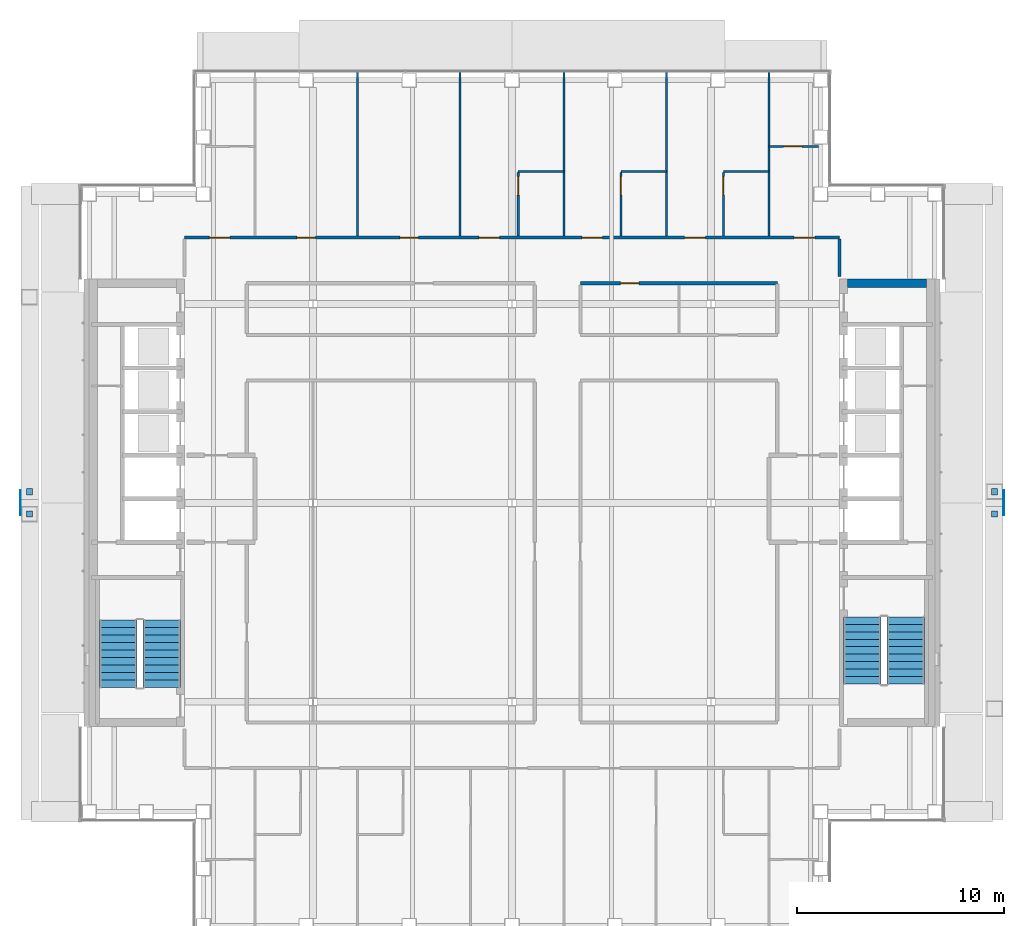
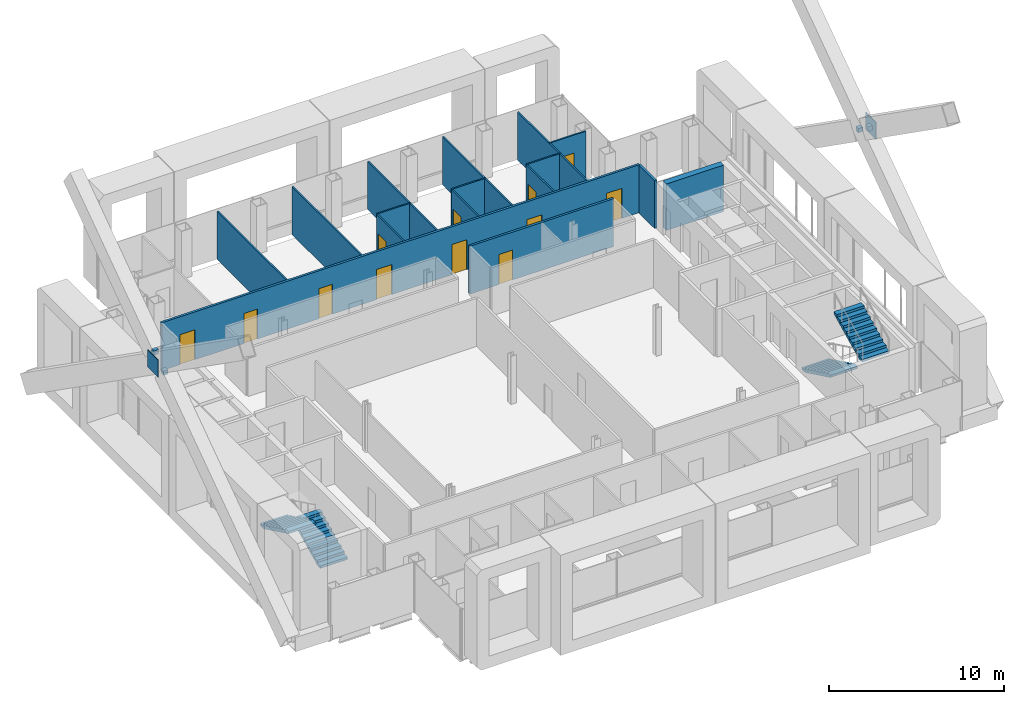
# One storey, part 14 of 21: 16 walls, 12 doors, 6 discrete accessories, 4 stair flights, 12 openings, 2 elements without a shape of their own.
"""IFC4 building model written with IfcOpenShell, lengths in metres."""

import ifcopenshell
import ifcopenshell.guid

model = None  # the IFC model being written
_history = None  # IfcOwnerHistory: only IFC2X3 demands one
_inside = {}  # id of a spatial element -> (the spatial element, [elements in it])
_under = {}  # id of a project, library or spatial element -> (it, [spatial elements below it])
_declared = {}  # id of a project -> (the project, [libraries it declares])
_typed = {}  # id of a type object -> (the type object, [elements of that type])
_made_of = {}  # id of a material, layer set ... -> (it, [elements and type objects made of it])


def new_model(schema):
    """Start an empty IFC model of exactly this schema.

    Asked for "IFC4X3", IfcOpenShell would pick the latest addendum, in which some entities
    have other attributes; the version numbers below select the first issue.
    IFC2X3 requires an IfcOwnerHistory on every rooted entity: one is made here for all.
    """
    global model, _history
    if schema == "IFC4X3":
        model = ifcopenshell.file(schema_version=(4, 3, 0, 0))
    else:
        model = ifcopenshell.file(schema=schema)
    _inside.clear()
    _under.clear()
    _declared.clear()
    _typed.clear()
    _made_of.clear()
    _history = None
    if model.schema == "IFC2X3":
        org = make("IfcOrganization", Name="unknown")
        user = make(
            "IfcPersonAndOrganization",
            ThePerson=make("IfcPerson", FamilyName="unknown"),
            TheOrganization=org,
        )
        app = make(
            "IfcApplication",
            ApplicationDeveloper=org,
            Version="unknown",
            ApplicationFullName="unknown",
            ApplicationIdentifier="unknown",
        )
        _history = make(
            "IfcOwnerHistory",
            OwningUser=user,
            OwningApplication=app,
            ChangeAction="ADDED",
            CreationDate=0,
        )
    return model


def make(cls, **values):
    """One entity of the class cls with the attributes given. An attribute that is None is left unset."""
    return model.create_entity(
        cls, **{name: value for name, value in values.items() if value is not None}
    )


def rooted(cls, **values):
    """An entity with a GlobalId (a new one), such as an element, a storey or a relation."""
    return make(cls, GlobalId=ifcopenshell.guid.new(), OwnerHistory=_history, **values)


def si_unit(unit_type, name, prefix=None):
    """IfcSIUnit, for example si_unit("LENGTHUNIT", "METRE", prefix="MILLI")."""
    return make("IfcSIUnit", UnitType=unit_type, Prefix=prefix, Name=name)


def assignment(units):
    """IfcUnitAssignment: the units of a project."""
    return None if units is None else make("IfcUnitAssignment", Units=units)


def point(xyz):
    """IfcCartesianPoint."""
    return None if xyz is None else make("IfcCartesianPoint", Coordinates=xyz)


def direction(xyz):
    """IfcDirection."""
    return None if xyz is None else make("IfcDirection", DirectionRatios=xyz)


def frame(location, z_axis=None, x_axis=None):
    """IfcAxis2Placement3D, a coordinate frame: its origin and axes. An axis left out is left unset."""
    return make(
        "IfcAxis2Placement3D",
        Location=point(location),
        Axis=direction(z_axis),
        RefDirection=direction(x_axis),
    )


def frame_2d(location, x_axis=None):
    """IfcAxis2Placement2D, a coordinate frame in the plane: its origin and x axis."""
    return make(
        "IfcAxis2Placement2D", Location=point(location), RefDirection=direction(x_axis)
    )


def origin():
    """The frame at (0, 0, 0) with its axes left unset."""
    return frame((0.0, 0.0, 0.0))


def origin_2d():
    """The frame at (0, 0) in the plane with its x axis left unset."""
    return frame_2d((0.0, 0.0))


def place(relative_to, where):
    """IfcLocalPlacement: puts the frame where relative to a parent placement (None: the world)."""
    return make(
        "IfcLocalPlacement", PlacementRelTo=relative_to, RelativePlacement=where
    )


def context(
    kind, dimensions, precision=None, world=None, true_north=None, identifier=None
):
    """IfcGeometricRepresentationContext, for example the 3D "Model" context."""
    return make(
        "IfcGeometricRepresentationContext",
        ContextIdentifier=identifier,
        ContextType=kind,
        CoordinateSpaceDimension=dimensions,
        Precision=precision,
        WorldCoordinateSystem=world,
        TrueNorth=true_north,
    )


def subcontext(parent, identifier, kind, view, scale=None):
    """IfcGeometricRepresentationSubContext, for example "Body" below "Model"."""
    return make(
        "IfcGeometricRepresentationSubContext",
        ContextIdentifier=identifier,
        ContextType=kind,
        ParentContext=parent,
        TargetScale=scale,
        TargetView=view,
    )


def project(units=None, contexts=None):
    """IfcProject with its units and contexts."""
    return rooted(
        "IfcProject",
        Name="project",
        RepresentationContexts=contexts,
        UnitsInContext=assignment(units),
    )


def spatial(cls, under=None, at=None, **own):
    """A site, building, storey or space (cls), placed at a placement, below another one or the project."""
    s = rooted(cls, ObjectPlacement=at, **own)
    if under is not None:
        _under.setdefault(under.id(), (under, []))[1].append(s)
    return s


def polyline(points):
    """IfcPolyline through the points."""
    return make("IfcPolyline", Points=[point(p) for p in points])


def profile(cls, at=None, kind="AREA", **sizes):
    """A parametric profile (cls). Its sizes go by their IFC names, for example OverallWidth=200.0."""
    return make(cls, ProfileType=kind, Position=at, **sizes)


def rectangle(**sizes):
    """IfcRectangleProfileDef."""
    return profile("IfcRectangleProfileDef", **sizes)


def outline(outer, holes=None, kind="AREA"):
    """IfcArbitraryClosedProfileDef: a profile drawn as a closed curve; with holes, ...WithVoids."""
    if holes is None:
        return make("IfcArbitraryClosedProfileDef", ProfileType=kind, OuterCurve=outer)
    return make(
        "IfcArbitraryProfileDefWithVoids",
        ProfileType=kind,
        OuterCurve=outer,
        InnerCurves=holes,
    )


def extrude(swept, where, along, depth):
    """IfcExtrudedAreaSolid: the profile swept, set in the frame where, extruded along a direction by depth."""
    return make(
        "IfcExtrudedAreaSolid",
        SweptArea=swept,
        Position=where,
        ExtrudedDirection=direction(along),
        Depth=depth,
    )


def shape(context_of_items, identifier, shape_type, items):
    """IfcShapeRepresentation: the items that make up one representation, for example the "Body"."""
    return make(
        "IfcShapeRepresentation",
        ContextOfItems=context_of_items,
        RepresentationIdentifier=identifier,
        RepresentationType=shape_type,
        Items=items,
    )


def material(Name=None, Category=None):
    """IfcMaterial."""
    return make("IfcMaterial", Name=Name, Category=Category)


def layer(
    of_material, thickness, ventilated=None, Name=None, Category=None, Priority=None
):
    """IfcMaterialLayer: one layer of a wall or slab, of a material (None: an air gap)."""
    return make(
        "IfcMaterialLayer",
        Material=of_material,
        LayerThickness=thickness,
        IsVentilated=ventilated,
        Name=Name,
        Category=Category,
        Priority=Priority,
    )


def layer_set(layers, Name=None):
    """IfcMaterialLayerSet."""
    return make("IfcMaterialLayerSet", MaterialLayers=layers, LayerSetName=Name)


def made_of(thing, what):
    """Note that an element or type object is made of a material, layer set ...; save() writes the relation."""
    if what is not None:
        _made_of.setdefault(what.id(), (what, []))[1].append(thing)
    return thing


def type_object(cls, material=None, **own):
    """A type object (cls), such as IfcWallType, which elements share."""
    return made_of(rooted(cls, **own), material)


def element(
    cls,
    number,
    at=None,
    inside=None,
    cuts=None,
    type_object=None,
    material=None,
    context=None,
    identifier="Body",
    shape_type=None,
    held_by="IfcProductDefinitionShape",
    body=None,
    shapes=None,
    **own,
):
    """One element of the class cls, such as IfcWall. Its Tag is "e" and its number.

    at: its placement. inside: the storey or other place that contains it. cuts: it is an
    opening in that element (IfcRelVoidsElement). A single representation is given by context,
    identifier, shape_type and body (its items); several are given by shapes. held_by: the class
    of the entity that holds the representations. save() writes the other relations.
    """
    e = rooted(cls, Tag="e%d" % number, ObjectPlacement=at, **own)
    if body is not None:
        shapes = [shape(context, identifier, shape_type, body)]
    if shapes is not None:
        e.Representation = make(held_by, Representations=shapes)
    if inside is not None:
        _inside.setdefault(inside.id(), (inside, []))[1].append(e)
    if cuts is not None:
        rooted(
            "IfcRelVoidsElement", RelatingBuildingElement=cuts, RelatedOpeningElement=e
        )
    if type_object is not None:
        _typed.setdefault(type_object.id(), (type_object, []))[1].append(e)
    return made_of(e, material)


def fill(opening, filler):
    """IfcRelFillsElement: the door or window that sits in an opening."""
    return rooted(
        "IfcRelFillsElement",
        RelatingOpeningElement=opening,
        RelatedBuildingElement=filler,
    )


def aggregate(whole, parts):
    """IfcRelAggregates: a whole, such as a stair, and the parts it consists of."""
    return rooted("IfcRelAggregates", RelatingObject=whole, RelatedObjects=parts)


def save(model, path):
    """Write the relations noted so far, then the file.

    IfcRelAggregates (storeys below a building ...), IfcRelContainedInSpatialStructure (elements
    in a storey), IfcRelDefinesByType, IfcRelAssociatesMaterial and IfcRelDeclares: one each for
    every whole, place, type object, material and project.
    """
    for whole, parts in _under.values():
        aggregate(whole, parts)
    for where, things in _inside.values():
        rooted(
            "IfcRelContainedInSpatialStructure",
            RelatedElements=things,
            RelatingStructure=where,
        )
    for kind, things in _typed.values():
        rooted("IfcRelDefinesByType", RelatedObjects=things, RelatingType=kind)
    for what, things in _made_of.values():
        rooted("IfcRelAssociatesMaterial", RelatedObjects=things, RelatingMaterial=what)
    for by, libraries in _declared.values():
        rooted("IfcRelDeclares", RelatingContext=by, RelatedDefinitions=libraries)
    model.write(path)


model = new_model("IFC4")

# Units and contexts
model_context = context("Model", 3, precision=1e-05, world=origin(), true_north=direction((0.0, 1.0)))
body_context = subcontext(model_context, "Body", "Model", "MODEL_VIEW")
ifc_project = project(units=[si_unit("LENGTHUNIT", "METRE"), si_unit("AREAUNIT", "SQUARE_METRE"), si_unit("VOLUMEUNIT", "CUBIC_METRE"), si_unit("PLANEANGLEUNIT", "RADIAN"), si_unit("MASSUNIT", "GRAM", prefix="KILO")], contexts=[model_context])

# Site, building, storey
site_placement = place(None, origin())
site = spatial("IfcSite", under=ifc_project, at=site_placement, CompositionType="ELEMENT")
building_placement = place(site_placement, origin())
building = spatial("IfcBuilding", under=site, at=building_placement, Name="Cobrizo Arcos Hotel Tower", CompositionType="ELEMENT")
storey_placement = place(building_placement, frame((0.0, 0.0, 212.0)))
storey = spatial("IfcBuildingStorey", under=building, at=storey_placement, Name="L55", CompositionType="ELEMENT", Elevation=212.0)

# Wall, opening, door
ifc_material_1 = material(Name="Gypsum board partition")
ifc_layer_1 = layer(ifc_material_1, 0.14990234375)
ifc_layer_set_1 = layer_set([ifc_layer_1], Name="Corridor wall EI 60 150")
wall_type_1 = type_object("IfcWallType", Name="Corridor wall EI 60 150", PredefinedType="PARTITIONING", material=ifc_layer_set_1)
wall_1_placement = place(storey_placement, frame((3.300048828125, 10.60009765625, 0.0), z_axis=(0.0, 0.0, 1.0), x_axis=(1.0, 0.0, 0.0)))
wall_1 = element("IfcWall", 1, at=wall_1_placement, inside=storey, type_object=wall_type_1, Name="Partition 034", PredefinedType="PARTITIONING", context=body_context, shape_type="SweptSolid", body=[
    extrude(rectangle(XDim=9.5, YDim=0.14990234375, at=frame_2d((4.75, 0.0))), origin(), (0.0, 0.0, 1.0), 3.35009765625),
])
opening_1_placement = place(wall_1_placement, frame((1.925048828125, 0.0, 0.0)))
opening_1 = element("IfcOpeningElement", 2, at=opening_1_placement, cuts=wall_1, Name="Opening ED-12", PredefinedType="OPENING", context=body_context, shape_type="SweptSolid", body=[
    extrude(rectangle(XDim=0.89990234375, YDim=2.10009765625, at=frame_2d((0.449951171875, 1.050048828125))), frame((0.0, 0.0869140625, 0.0), z_axis=(0.0, -1.0, 0.0), x_axis=(1.0, 0.0, 0.0)), (0.0, 0.0, 1.0), 0.173828125),
])
ifc_material_2 = material(Name="Timber door leaf", Category="wood")
door_type_1 = type_object("IfcDoorType", Name="En-suite door 900x2100", OperationType="SINGLE_SWING_LEFT", PredefinedType="DOOR", material=ifc_material_2)
door_1_placement = place(opening_1_placement, origin())
door_1 = element("IfcDoor", 3, at=door_1_placement, inside=storey, type_object=door_type_1, Name="Door ED-12", OperationType="SINGLE_SWING_RIGHT", OverallHeight=2.10009765625, OverallWidth=0.89990234375, PredefinedType="DOOR", context=body_context, shape_type="SweptSolid", body=[
    extrude(rectangle(XDim=0.89990234375, YDim=2.10009765625, at=frame_2d((0.449951171875, 1.050048828125))), frame((0.0, 0.02490234375, 0.0), z_axis=(0.0, -1.0, 0.0), x_axis=(1.0, 0.0, 0.0)), (0.0, 0.0, 1.0), 0.050048828125),
])
fill(opening_1, door_1)

# Wall, openings, doors
wall_2_placement = place(storey_placement, frame((-15.800048828125, 12.800048828125, 0.0), z_axis=(0.0, 0.0, 1.0), x_axis=(1.0, 0.0, 0.0)))
wall_2 = element("IfcWall", 4, at=wall_2_placement, inside=storey, type_object=wall_type_1, Name="Partition 035", PredefinedType="PARTITIONING", context=body_context, shape_type="SweptSolid", body=[
    extrude(rectangle(XDim=31.60009765625, YDim=0.14990234375, at=frame_2d((15.800048828125, 0.0))), origin(), (0.0, 0.0, 1.0), 3.35009765625),
])
opening_2_placement = place(wall_2_placement, frame((5.4169921875, 0.0, 0.0)))
opening_2 = element("IfcOpeningElement", 5, at=opening_2_placement, cuts=wall_2, Name="Opening RD-06", PredefinedType="OPENING", context=body_context, shape_type="SweptSolid", body=[
    extrude(rectangle(XDim=0.89990234375, YDim=2.10009765625, at=frame_2d((0.449951171875, 1.050048828125))), frame((0.0, 0.0869140625, 0.0), z_axis=(0.0, -1.0, 0.0), x_axis=(1.0, 0.0, 0.0)), (0.0, 0.0, 1.0), 0.173828125),
])
opening_3_placement = place(wall_2_placement, frame((10.384033203125, 0.0, 0.0)))
opening_3 = element("IfcOpeningElement", 6, at=opening_3_placement, cuts=wall_2, Name="Opening RD-07", PredefinedType="OPENING", context=body_context, shape_type="SweptSolid", body=[
    extrude(rectangle(XDim=0.89990234375, YDim=2.10009765625, at=frame_2d((0.449951171875, 1.050048828125))), frame((0.0, 0.0869140625, 0.0), z_axis=(0.0, -1.0, 0.0), x_axis=(1.0, 0.0, 0.0)), (0.0, 0.0, 1.0), 0.173828125),
])
opening_4_placement = place(wall_2_placement, frame((14.199951171875, 0.0, 0.0)))
opening_4 = element("IfcOpeningElement", 7, at=opening_4_placement, cuts=wall_2, Name="Opening GD-01", PredefinedType="OPENING", context=body_context, shape_type="SweptSolid", body=[
    extrude(rectangle(XDim=1.0, YDim=2.10009765625, at=frame_2d((0.5, 1.050048828125))), frame((0.0, 0.0869140625, 0.0), z_axis=(0.0, -1.0, 0.0), x_axis=(1.0, 0.0, 0.0)), (0.0, 0.0, 1.0), 0.173828125),
])
opening_5_placement = place(wall_2_placement, frame((19.166015625, 0.0, 0.0)))
opening_5 = element("IfcOpeningElement", 8, at=opening_5_placement, cuts=wall_2, Name="Opening GD-02", PredefinedType="OPENING", context=body_context, shape_type="SweptSolid", body=[
    extrude(rectangle(XDim=1.0, YDim=2.10009765625, at=frame_2d((0.5, 1.050048828125))), frame((0.0, 0.0869140625, 0.0), z_axis=(0.0, -1.0, 0.0), x_axis=(1.0, 0.0, 0.0)), (0.0, 0.0, 1.0), 0.173828125),
])
opening_6_placement = place(wall_2_placement, frame((24.134033203125, 0.0, 0.0)))
opening_6 = element("IfcOpeningElement", 9, at=opening_6_placement, cuts=wall_2, Name="Opening GD-03", PredefinedType="OPENING", context=body_context, shape_type="SweptSolid", body=[
    extrude(rectangle(XDim=1.0, YDim=2.10009765625, at=frame_2d((0.5, 1.050048828125))), frame((0.0, 0.0869140625, 0.0), z_axis=(0.0, -1.0, 0.0), x_axis=(1.0, 0.0, 0.0)), (0.0, 0.0, 1.0), 0.173828125),
])
opening_7_placement = place(wall_2_placement, frame((1.19189453125, 0.0, 0.0)))
opening_7 = element("IfcOpeningElement", 10, at=opening_7_placement, cuts=wall_2, Name="Opening GD-08", PredefinedType="OPENING", context=body_context, shape_type="SweptSolid", body=[
    extrude(rectangle(XDim=1.0, YDim=2.10009765625, at=frame_2d((0.5, 1.050048828125))), frame((0.0, 0.0869140625, 0.0), z_axis=(0.0, -1.0, 0.0), x_axis=(1.0, 0.0, 0.0)), (0.0, 0.0, 1.0), 0.173828125),
])
opening_8_placement = place(wall_2_placement, frame((29.408935546875, 0.0, 0.0)))
opening_8 = element("IfcOpeningElement", 11, at=opening_8_placement, cuts=wall_2, Name="Opening GD-10", PredefinedType="OPENING", context=body_context, shape_type="SweptSolid", body=[
    extrude(rectangle(XDim=1.0, YDim=2.10009765625, at=frame_2d((0.5, 1.050048828125))), frame((0.0, 0.0869140625, 0.0), z_axis=(0.0, -1.0, 0.0), x_axis=(1.0, 0.0, 0.0)), (0.0, 0.0, 1.0), 0.173828125),
])
door_type_2 = type_object("IfcDoorType", Name="Guest room door FD30S 1000x2100", OperationType="SINGLE_SWING_LEFT", PredefinedType="DOOR", material=ifc_material_2)
door_2_placement = place(opening_4_placement, origin())
door_2 = element("IfcDoor", 12, at=door_2_placement, inside=storey, type_object=door_type_2, Name="Door GD-01", OperationType="SINGLE_SWING_RIGHT", OverallHeight=2.10009765625, OverallWidth=1.0, PredefinedType="DOOR", context=body_context, shape_type="SweptSolid", body=[
    extrude(rectangle(XDim=1.0, YDim=2.10009765625, at=frame_2d((0.5, 1.050048828125))), frame((0.0, 0.02490234375, 0.0), z_axis=(0.0, -1.0, 0.0), x_axis=(1.0, 0.0, 0.0)), (0.0, 0.0, 1.0), 0.050048828125),
])
fill(opening_4, door_2)
door_3_placement = place(opening_5_placement, origin())
door_3 = element("IfcDoor", 13, at=door_3_placement, inside=storey, type_object=door_type_2, Name="Door GD-02", OperationType="SINGLE_SWING_RIGHT", OverallHeight=2.10009765625, OverallWidth=1.0, PredefinedType="DOOR", context=body_context, shape_type="SweptSolid", body=[
    extrude(rectangle(XDim=1.0, YDim=2.10009765625, at=frame_2d((0.5, 1.050048828125))), frame((0.0, 0.02490234375, 0.0), z_axis=(0.0, -1.0, 0.0), x_axis=(1.0, 0.0, 0.0)), (0.0, 0.0, 1.0), 0.050048828125),
])
fill(opening_5, door_3)
door_4_placement = place(opening_6_placement, origin())
door_4 = element("IfcDoor", 14, at=door_4_placement, inside=storey, type_object=door_type_2, Name="Door GD-03", OperationType="SINGLE_SWING_LEFT", OverallHeight=2.10009765625, OverallWidth=1.0, PredefinedType="DOOR", context=body_context, shape_type="SweptSolid", body=[
    extrude(rectangle(XDim=1.0, YDim=2.10009765625, at=frame_2d((0.5, 1.050048828125))), frame((0.0, 0.02490234375, 0.0), z_axis=(0.0, -1.0, 0.0), x_axis=(1.0, 0.0, 0.0)), (0.0, 0.0, 1.0), 0.050048828125),
])
fill(opening_6, door_4)
door_5_placement = place(opening_7_placement, origin())
door_5 = element("IfcDoor", 15, at=door_5_placement, inside=storey, type_object=door_type_2, Name="Door GD-08", OperationType="SINGLE_SWING_LEFT", OverallHeight=2.10009765625, OverallWidth=1.0, PredefinedType="DOOR", context=body_context, shape_type="SweptSolid", body=[
    extrude(rectangle(XDim=1.0, YDim=2.10009765625, at=frame_2d((0.5, 1.050048828125))), frame((0.0, 0.02490234375, 0.0), z_axis=(0.0, -1.0, 0.0), x_axis=(1.0, 0.0, 0.0)), (0.0, 0.0, 1.0), 0.050048828125),
])
fill(opening_7, door_5)
door_6_placement = place(opening_8_placement, origin())
door_6 = element("IfcDoor", 16, at=door_6_placement, inside=storey, type_object=door_type_2, Name="Door GD-10", OperationType="SINGLE_SWING_LEFT", OverallHeight=2.10009765625, OverallWidth=1.0, PredefinedType="DOOR", context=body_context, shape_type="SweptSolid", body=[
    extrude(rectangle(XDim=1.0, YDim=2.10009765625, at=frame_2d((0.5, 1.050048828125))), frame((0.0, 0.02490234375, 0.0), z_axis=(0.0, -1.0, 0.0), x_axis=(1.0, 0.0, 0.0)), (0.0, 0.0, 1.0), 0.050048828125),
])
fill(opening_8, door_6)
door_type_3 = type_object("IfcDoorType", Name="Room door FD30 900x2100", OperationType="SINGLE_SWING_LEFT", PredefinedType="DOOR", material=ifc_material_2)
door_7_placement = place(opening_2_placement, origin())
door_7 = element("IfcDoor", 17, at=door_7_placement, inside=storey, type_object=door_type_3, Name="Door RD-06", OperationType="SINGLE_SWING_RIGHT", OverallHeight=2.10009765625, OverallWidth=0.89990234375, PredefinedType="DOOR", context=body_context, shape_type="SweptSolid", body=[
    extrude(rectangle(XDim=0.89990234375, YDim=2.10009765625, at=frame_2d((0.449951171875, 1.050048828125))), frame((0.0, 0.02490234375, 0.0), z_axis=(0.0, -1.0, 0.0), x_axis=(1.0, 0.0, 0.0)), (0.0, 0.0, 1.0), 0.050048828125),
])
fill(opening_2, door_7)
door_8_placement = place(opening_3_placement, origin())
door_8 = element("IfcDoor", 18, at=door_8_placement, inside=storey, type_object=door_type_3, Name="Door RD-07", OperationType="SINGLE_SWING_LEFT", OverallHeight=2.10009765625, OverallWidth=0.89990234375, PredefinedType="DOOR", context=body_context, shape_type="SweptSolid", body=[
    extrude(rectangle(XDim=0.89990234375, YDim=2.10009765625, at=frame_2d((0.449951171875, 1.050048828125))), frame((0.0, 0.02490234375, 0.0), z_axis=(0.0, -1.0, 0.0), x_axis=(1.0, 0.0, 0.0)), (0.0, 0.0, 1.0), 0.050048828125),
])
fill(opening_3, door_8)

# Walls
wall_3_placement = place(storey_placement, frame((15.800048828125, 10.919921875, 0.0), z_axis=(0.0, 0.0, 1.0), x_axis=(0.0, 1.0, 0.0)))
element("IfcWall", 19, at=wall_3_placement, inside=storey, type_object=wall_type_1, Name="Partition 082", PredefinedType="PARTITIONING", context=body_context, shape_type="SweptSolid", body=[
    extrude(rectangle(XDim=1.80517578125, YDim=0.14990234375, at=frame_2d((0.902587890625, 0.0))), origin(), (0.0, 0.0, 1.0), 3.35009765625),
])
ifc_layer_2 = layer(ifc_material_1, 0.10009765625)
ifc_layer_set_2 = layer_set([ifc_layer_2], Name="Partition EI 30 100")
wall_type_2 = type_object("IfcWallType", Name="Partition EI 30 100", PredefinedType="PARTITIONING", material=ifc_layer_set_2)
for number, where, z_axis, x_axis, name in (
    (20, (0.300048828125, 16.0, 0.0), (0.0, 0.0, 1.0), (1.0, 0.0, 0.0), "Partition 036"),
    (21, (5.25, 16.0, 0.0), (0.0, 0.0, 1.0), (1.0, 0.0, 0.0), "Partition 037"),
    (22, (10.199951171875, 16.0, 0.0), (0.0, 0.0, 1.0), (1.0, 0.0, 0.0), "Partition 038"),
):
    element("IfcWall", number, at=place(storey_placement, frame(where, z_axis=z_axis, x_axis=x_axis)), inside=storey, type_object=wall_type_2, Name=name, PredefinedType="PARTITIONING", context=body_context, shape_type="SweptSolid", body=[
        extrude(rectangle(XDim=2.199951171875, YDim=0.10009765625, at=frame_2d((1.10009765625, 0.0))), origin(), (0.0, 0.0, 1.0), 3.35009765625),
    ])

# Wall, opening, door
wall_4_placement = place(storey_placement, frame((12.39990234375, 17.199951171875, 0.0), z_axis=(0.0, 0.0, 1.0), x_axis=(1.0, 0.0, 0.0)))
wall_4 = element("IfcWall", 23, at=wall_4_placement, inside=storey, type_object=wall_type_2, Name="Partition 040", PredefinedType="PARTITIONING", context=body_context, shape_type="SweptSolid", body=[
    extrude(rectangle(XDim=2.380126953125, YDim=0.10009765625, at=frame_2d((1.18994140625, 0.0))), origin(), (0.0, 0.0, 1.0), 3.35009765625),
])
opening_9_placement = place(wall_4_placement, frame((0.705078125, 0.0, 0.0)))
opening_9 = element("IfcOpeningElement", 24, at=opening_9_placement, cuts=wall_4, Name="Opening ED-11", PredefinedType="OPENING", context=body_context, shape_type="SweptSolid", body=[
    extrude(rectangle(XDim=0.89990234375, YDim=2.10009765625, at=frame_2d((0.449951171875, 1.050048828125))), frame((0.0, 0.06201171875, 0.0), z_axis=(0.0, -1.0, 0.0), x_axis=(1.0, 0.0, 0.0)), (0.0, 0.0, 1.0), 0.1240234375),
])
door_9_placement = place(opening_9_placement, origin())
door_9 = element("IfcDoor", 25, at=door_9_placement, inside=storey, type_object=door_type_1, Name="Door ED-11", OperationType="SINGLE_SWING_LEFT", OverallHeight=2.10009765625, OverallWidth=0.89990234375, PredefinedType="DOOR", context=body_context, shape_type="SweptSolid", body=[
    extrude(rectangle(XDim=0.89990234375, YDim=2.10009765625, at=frame_2d((0.449951171875, 1.050048828125))), frame((0.0, 0.02490234375, 0.0), z_axis=(0.0, -1.0, 0.0), x_axis=(1.0, 0.0, 0.0)), (0.0, 0.0, 1.0), 0.050048828125),
])
fill(opening_9, door_9)

# Walls
for number, where, z_axis, x_axis, name in (
    (26, (-7.449951171875, 12.875, 0.0), (0.0, 0.0, 1.0), (0.0, 1.0, 0.0), "Partition 058"),
    (27, (-2.5, 12.875, 0.0), (0.0, 0.0, 1.0), (0.0, 1.0, 0.0), "Partition 060"),
):
    element("IfcWall", number, at=place(storey_placement, frame(where, z_axis=z_axis, x_axis=x_axis)), inside=storey, type_object=wall_type_2, Name=name, PredefinedType="PARTITIONING", context=body_context, shape_type="SweptSolid", body=[
        extrude(rectangle(XDim=7.905029296875, YDim=0.10009765625, at=frame_2d((3.95263671875, 0.0))), origin(), (0.0, 0.0, 1.0), 3.35009765625),
    ])

# Wall, opening, door
wall_5_placement = place(storey_placement, frame((0.300048828125, 12.875, 0.0), z_axis=(0.0, 0.0, 1.0), x_axis=(0.0, 1.0, 0.0)))
wall_5 = element("IfcWall", 28, at=wall_5_placement, inside=storey, type_object=wall_type_2, Name="Partition 062", PredefinedType="PARTITIONING", context=body_context, shape_type="SweptSolid", body=[
    extrude(rectangle(XDim=3.074951171875, YDim=0.10009765625, at=frame_2d((1.53759765625, 0.0))), origin(), (0.0, 0.0, 1.0), 3.35009765625),
])
opening_10_placement = place(wall_5_placement, frame((1.970947265625, 0.0, 0.0)))
opening_10 = element("IfcOpeningElement", 29, at=opening_10_placement, cuts=wall_5, Name="Opening ED-02", PredefinedType="OPENING", context=body_context, shape_type="SweptSolid", body=[
    extrude(rectangle(XDim=0.89990234375, YDim=2.10009765625, at=frame_2d((0.449951171875, 1.050048828125))), frame((0.0, 0.06201171875, 0.0), z_axis=(0.0, -1.0, 0.0), x_axis=(1.0, 0.0, 0.0)), (0.0, 0.0, 1.0), 0.1240234375),
])
door_10_placement = place(opening_10_placement, origin())
door_10 = element("IfcDoor", 30, at=door_10_placement, inside=storey, type_object=door_type_1, Name="Door ED-02", OperationType="SINGLE_SWING_LEFT", OverallHeight=2.10009765625, OverallWidth=0.89990234375, PredefinedType="DOOR", context=body_context, shape_type="SweptSolid", body=[
    extrude(rectangle(XDim=0.89990234375, YDim=2.10009765625, at=frame_2d((0.449951171875, 1.050048828125))), frame((0.0, 0.02490234375, 0.0), z_axis=(0.0, -1.0, 0.0), x_axis=(1.0, 0.0, 0.0)), (0.0, 0.0, 1.0), 0.050048828125),
])
fill(opening_10, door_10)

# Wall
wall_6_placement = place(storey_placement, frame((2.5, 12.875, 0.0), z_axis=(0.0, 0.0, 1.0), x_axis=(0.0, 1.0, 0.0)))
element("IfcWall", 31, at=wall_6_placement, inside=storey, type_object=wall_type_2, Name="Partition 066", PredefinedType="PARTITIONING", context=body_context, shape_type="SweptSolid", body=[
    extrude(rectangle(XDim=7.905029296875, YDim=0.10009765625, at=frame_2d((3.95263671875, 0.0))), origin(), (0.0, 0.0, 1.0), 3.35009765625),
])

# Wall, opening, door
wall_7_placement = place(storey_placement, frame((5.25, 12.875, 0.0), z_axis=(0.0, 0.0, 1.0), x_axis=(0.0, 1.0, 0.0)))
wall_7 = element("IfcWall", 32, at=wall_7_placement, inside=storey, type_object=wall_type_2, Name="Partition 069", PredefinedType="PARTITIONING", context=body_context, shape_type="SweptSolid", body=[
    extrude(rectangle(XDim=3.074951171875, YDim=0.10009765625, at=frame_2d((1.53759765625, 0.0))), origin(), (0.0, 0.0, 1.0), 3.35009765625),
])
opening_11_placement = place(wall_7_placement, frame((1.970947265625, 0.0, 0.0)))
opening_11 = element("IfcOpeningElement", 33, at=opening_11_placement, cuts=wall_7, Name="Opening ED-03", PredefinedType="OPENING", context=body_context, shape_type="SweptSolid", body=[
    extrude(rectangle(XDim=0.89990234375, YDim=2.10009765625, at=frame_2d((0.449951171875, 1.050048828125))), frame((0.0, 0.06201171875, 0.0), z_axis=(0.0, -1.0, 0.0), x_axis=(1.0, 0.0, 0.0)), (0.0, 0.0, 1.0), 0.1240234375),
])
door_11_placement = place(opening_11_placement, origin())
door_11 = element("IfcDoor", 34, at=door_11_placement, inside=storey, type_object=door_type_1, Name="Door ED-03", OperationType="SINGLE_SWING_RIGHT", OverallHeight=2.10009765625, OverallWidth=0.89990234375, PredefinedType="DOOR", context=body_context, shape_type="SweptSolid", body=[
    extrude(rectangle(XDim=0.89990234375, YDim=2.10009765625, at=frame_2d((0.449951171875, 1.050048828125))), frame((0.0, 0.02490234375, 0.0), z_axis=(0.0, -1.0, 0.0), x_axis=(1.0, 0.0, 0.0)), (0.0, 0.0, 1.0), 0.050048828125),
])
fill(opening_11, door_11)

# Wall
wall_8_placement = place(storey_placement, frame((7.449951171875, 12.875, 0.0), z_axis=(0.0, 0.0, 1.0), x_axis=(0.0, 1.0, 0.0)))
element("IfcWall", 35, at=wall_8_placement, inside=storey, type_object=wall_type_2, Name="Partition 071", PredefinedType="PARTITIONING", context=body_context, shape_type="SweptSolid", body=[
    extrude(rectangle(XDim=7.905029296875, YDim=0.10009765625, at=frame_2d((3.95263671875, 0.0))), origin(), (0.0, 0.0, 1.0), 3.35009765625),
])

# Wall, opening, door
wall_9_placement = place(storey_placement, frame((10.199951171875, 12.875, 0.0), z_axis=(0.0, 0.0, 1.0), x_axis=(0.0, 1.0, 0.0)))
wall_9 = element("IfcWall", 36, at=wall_9_placement, inside=storey, type_object=wall_type_2, Name="Partition 074", PredefinedType="PARTITIONING", context=body_context, shape_type="SweptSolid", body=[
    extrude(rectangle(XDim=3.074951171875, YDim=0.10009765625, at=frame_2d((1.53759765625, 0.0))), origin(), (0.0, 0.0, 1.0), 3.35009765625),
])
opening_12_placement = place(wall_9_placement, frame((1.970947265625, 0.0, 0.0)))
opening_12 = element("IfcOpeningElement", 37, at=opening_12_placement, cuts=wall_9, Name="Opening ED-04", PredefinedType="OPENING", context=body_context, shape_type="SweptSolid", body=[
    extrude(rectangle(XDim=0.89990234375, YDim=2.10009765625, at=frame_2d((0.449951171875, 1.050048828125))), frame((0.0, 0.06201171875, 0.0), z_axis=(0.0, -1.0, 0.0), x_axis=(1.0, 0.0, 0.0)), (0.0, 0.0, 1.0), 0.1240234375),
])
door_12_placement = place(opening_12_placement, origin())
door_12 = element("IfcDoor", 38, at=door_12_placement, inside=storey, type_object=door_type_1, Name="Door ED-04", OperationType="SINGLE_SWING_LEFT", OverallHeight=2.10009765625, OverallWidth=0.89990234375, PredefinedType="DOOR", context=body_context, shape_type="SweptSolid", body=[
    extrude(rectangle(XDim=0.89990234375, YDim=2.10009765625, at=frame_2d((0.449951171875, 1.050048828125))), frame((0.0, 0.02490234375, 0.0), z_axis=(0.0, -1.0, 0.0), x_axis=(1.0, 0.0, 0.0)), (0.0, 0.0, 1.0), 0.050048828125),
])
fill(opening_12, door_12)

# Walls
wall_10_placement = place(storey_placement, frame((12.39990234375, 12.875, 0.0), z_axis=(0.0, 0.0, 1.0), x_axis=(0.0, 1.0, 0.0)))
element("IfcWall", 39, at=wall_10_placement, inside=storey, type_object=wall_type_2, Name="Partition 077", PredefinedType="PARTITIONING", context=body_context, shape_type="SweptSolid", body=[
    extrude(rectangle(XDim=7.905029296875, YDim=0.10009765625, at=frame_2d((3.95263671875, 0.0))), origin(), (0.0, 0.0, 1.0), 3.35009765625),
])
ifc_material_3 = material(Name="Concrete f'c 40 MPa", Category="concrete")
ifc_layer_3 = layer(ifc_material_3, 0.39990234375)
ifc_layer_set_3 = layer_set([ifc_layer_3], Name="RC core wall 400 f'c 40")
wall_type_3 = type_object("IfcWallType", Name="RC core wall 400 f'c 40", PredefinedType="SHEAR", material=ifc_layer_set_3)
wall_11_placement = place(storey_placement, frame((16.199951171875, 10.60009765625, 0.0), z_axis=(0.0, 0.0, 1.0), x_axis=(1.0, 0.0, 0.0)))
element("IfcWall", 40, at=wall_11_placement, inside=storey, type_object=wall_type_3, Name="Core wall CW4, east core, north end, L55", PredefinedType="SHEAR", context=body_context, shape_type="SweptSolid", body=[
    extrude(rectangle(XDim=3.800048828125, YDim=0.39990234375, at=frame_2d((1.89990234375, 0.0))), origin(), (0.0, 0.0, 1.0), 3.25),
])

# Stair, stair flights
stair_type = type_object("IfcStairType", Name="Exit stair", PredefinedType="HALF_TURN_STAIR", material=ifc_material_3)
stair_1_placement = place(storey_placement, origin())
stair_1 = element("IfcStair", 41, at=stair_1_placement, inside=storey, type_object=stair_type, Name="L55 Exit stair ST-W", PredefinedType="HALF_TURN_STAIR")
stair_flight_type = type_object("IfcStairFlightType", Name="Exit stair flight", PredefinedType="STRAIGHT", material=ifc_material_3)
stair_flight_1_placement = place(storey_placement, frame((-16.89990234375, -8.89990234375, 0.0), z_axis=(0.0, 0.0, 1.0), x_axis=(0.0, 1.0, 0.0)))
stair_flight_1 = element("IfcStairFlight", 42, at=stair_flight_1_placement, type_object=stair_flight_type, Name="ST-W flight 1", NumberOfRisers=10, NumberOfTreads=9, PredefinedType="STRAIGHT", RiserHeight=0.175, TreadLength=0.36, context=body_context, shape_type="SweptSolid", body=[
    extrude(outline(polyline([(0.0, 0.0), (0.0, 0.175048828125), (0.360107421875, 0.175048828125), (0.360107421875, 0.35009765625), (0.719970703125, 0.35009765625), (0.719970703125, 0.52490234375), (1.080078125, 0.52490234375), (1.080078125, 0.699951171875), (1.43994140625, 0.699951171875), (1.43994140625, 0.875), (1.800048828125, 0.875), (1.800048828125, 1.050048828125), (2.159912109375, 1.050048828125), (2.159912109375, 1.22509765625), (2.52001953125, 1.22509765625), (2.52001953125, 1.39990234375), (2.8798828125, 1.39990234375), (2.8798828125, 1.574951171875), (3.239990234375, 1.574951171875), (3.239990234375, 1.75), (3.239990234375, 1.408203125), (0.3427734375, 0.0), (0.0, 0.0)])), frame((0.0, 0.89990234375, 0.0), z_axis=(0.0, -1.0, 0.0), x_axis=(1.0, 0.0, 0.0)), (0.0, 0.0, 1.0), 1.800048828125),
])
stair_flight_2_placement = place(storey_placement, frame((-19.0, -5.659912109375, 1.75), z_axis=(0.0, 0.0, 1.0), x_axis=(0.0, -1.0, 0.0)))
stair_flight_2 = element("IfcStairFlight", 43, at=stair_flight_2_placement, type_object=stair_flight_type, Name="ST-W flight 2", NumberOfRisers=10, NumberOfTreads=9, PredefinedType="STRAIGHT", RiserHeight=0.175, TreadLength=0.36, context=body_context, shape_type="SweptSolid", body=[
    extrude(outline(polyline([(0.0, 0.0), (0.0, 0.175048828125), (0.360107421875, 0.175048828125), (0.360107421875, 0.35009765625), (0.719970703125, 0.35009765625), (0.719970703125, 0.52490234375), (1.080078125, 0.52490234375), (1.080078125, 0.699951171875), (1.43994140625, 0.699951171875), (1.43994140625, 0.875), (1.800048828125, 0.875), (1.800048828125, 1.050048828125), (2.159912109375, 1.050048828125), (2.159912109375, 1.22509765625), (2.52001953125, 1.22509765625), (2.52001953125, 1.39990234375), (2.8798828125, 1.39990234375), (2.8798828125, 1.574951171875), (3.239990234375, 1.574951171875), (3.239990234375, 1.75), (3.239990234375, 1.408203125), (0.3427734375, 0.0), (0.0, 0.0)])), frame((0.0, 0.89990234375, 0.0), z_axis=(0.0, -1.0, 0.0), x_axis=(1.0, 0.0, 0.0)), (0.0, 0.0, 1.0), 1.800048828125),
])
aggregate(stair_1, [stair_flight_1, stair_flight_2])

stair_2_placement = place(storey_placement, origin())
stair_2 = element("IfcStair", 44, at=stair_2_placement, inside=storey, type_object=stair_type, Name="L55 Exit stair ST-E", PredefinedType="HALF_TURN_STAIR")
stair_flight_3_placement = place(storey_placement, frame((16.89990234375, -5.5, 0.0), z_axis=(0.0, 0.0, 1.0), x_axis=(0.0, -1.0, 0.0)))
stair_flight_3 = element("IfcStairFlight", 45, at=stair_flight_3_placement, type_object=stair_flight_type, Name="ST-E flight 1", NumberOfRisers=10, NumberOfTreads=9, PredefinedType="STRAIGHT", RiserHeight=0.175, TreadLength=0.36, context=body_context, shape_type="SweptSolid", body=[
    extrude(outline(polyline([(0.0, 0.0), (0.0, 0.175048828125), (0.360107421875, 0.175048828125), (0.360107421875, 0.35009765625), (0.719970703125, 0.35009765625), (0.719970703125, 0.52490234375), (1.080078125, 0.52490234375), (1.080078125, 0.699951171875), (1.43994140625, 0.699951171875), (1.43994140625, 0.875), (1.800048828125, 0.875), (1.800048828125, 1.050048828125), (2.159912109375, 1.050048828125), (2.159912109375, 1.22509765625), (2.52001953125, 1.22509765625), (2.52001953125, 1.39990234375), (2.8798828125, 1.39990234375), (2.8798828125, 1.574951171875), (3.239990234375, 1.574951171875), (3.239990234375, 1.75), (3.239990234375, 1.408203125), (0.3427734375, 0.0), (0.0, 0.0)])), frame((0.0, 0.89990234375, 0.0), z_axis=(0.0, -1.0, 0.0), x_axis=(1.0, 0.0, 0.0)), (0.0, 0.0, 1.0), 1.800048828125),
])
stair_flight_4_placement = place(storey_placement, frame((19.0, -8.739990234375, 1.75), z_axis=(0.0, 0.0, 1.0), x_axis=(0.0, 1.0, 0.0)))
stair_flight_4 = element("IfcStairFlight", 46, at=stair_flight_4_placement, type_object=stair_flight_type, Name="ST-E flight 2", NumberOfRisers=10, NumberOfTreads=9, PredefinedType="STRAIGHT", RiserHeight=0.175, TreadLength=0.36, context=body_context, shape_type="SweptSolid", body=[
    extrude(outline(polyline([(0.0, 0.0), (0.0, 0.175048828125), (0.360107421875, 0.175048828125), (0.360107421875, 0.35009765625), (0.719970703125, 0.35009765625), (0.719970703125, 0.52490234375), (1.080078125, 0.52490234375), (1.080078125, 0.699951171875), (1.43994140625, 0.699951171875), (1.43994140625, 0.875), (1.800048828125, 0.875), (1.800048828125, 1.050048828125), (2.159912109375, 1.050048828125), (2.159912109375, 1.22509765625), (2.52001953125, 1.22509765625), (2.52001953125, 1.39990234375), (2.8798828125, 1.39990234375), (2.8798828125, 1.574951171875), (3.239990234375, 1.574951171875), (3.239990234375, 1.75), (3.239990234375, 1.408203125), (0.3427734375, 0.0), (0.0, 0.0)])), frame((0.0, 0.89990234375, 0.0), z_axis=(0.0, -1.0, 0.0), x_axis=(1.0, 0.0, 0.0)), (0.0, 0.0, 1.0), 1.800048828125),
])
aggregate(stair_2, [stair_flight_3, stair_flight_4])

# Discrete accessories
ifc_material_4 = material(Name="Steel ASTM A572 Grade 50", Category="steel")
discrete_accessory_type_1 = type_object("IfcDiscreteAccessoryType", Name="GP-1 gusset plate 1200x1200x40", PredefinedType="BRACKET", material=ifc_material_4)
for number, where, z_axis, x_axis, name in (
    (47, (23.719970703125, 0.0, 10.39990234375), (0.0, 0.0, 1.0), (1.0, 0.0, 0.0), "Gusset plate br-Z4-E-02"),
    (48, (-23.719970703125, 0.0, 10.39990234375), (0.0, 0.0, 1.0), (1.0, 0.0, 0.0), "Gusset plate br-Z4-W-02"),
):
    element("IfcDiscreteAccessory", number, at=place(storey_placement, frame(where, z_axis=z_axis, x_axis=x_axis)), inside=storey, type_object=discrete_accessory_type_1, Name=name, PredefinedType="BRACKET", context=body_context, shape_type="SweptSolid", body=[
        extrude(rectangle(XDim=0.0400390625, YDim=1.199951171875, at=origin_2d()), origin(), (0.0, 0.0, 1.0), 1.199951171875),
    ])
discrete_accessory_type_2 = type_object("IfcDiscreteAccessoryType", Name="GP-5 brace end plate 300x300x300", PredefinedType="BRACKET", material=ifc_material_4)
for number, where, z_axis, x_axis, name in (
    (49, (23.27490234375, 0.539794921875, 10.4697265625), (0.0, 0.0, 1.0), (1.0, 0.0, 0.0), "Brace end plate"),
    (50, (23.27490234375, -0.539794921875, 11.23046875), (0.0, 0.0, 1.0), (1.0, 0.0, 0.0), "Brace end plate"),
    (51, (-23.27490234375, -0.539794921875, 10.4697265625), (0.0, 0.0, 1.0), (1.0, 0.0, 0.0), "Brace end plate"),
    (52, (-23.27490234375, 0.539794921875, 11.23046875), (0.0, 0.0, 1.0), (1.0, 0.0, 0.0), "Brace end plate"),
):
    element("IfcDiscreteAccessory", number, at=place(storey_placement, frame(where, z_axis=z_axis, x_axis=x_axis)), inside=storey, type_object=discrete_accessory_type_2, Name=name, PredefinedType="BRACKET", context=body_context, shape_type="SweptSolid", body=[
        extrude(rectangle(XDim=0.300048828125, YDim=0.300048828125, at=origin_2d()), origin(), (0.0, 0.0, 1.0), 0.300048828125),
    ])

save(model, "model.ifc")
